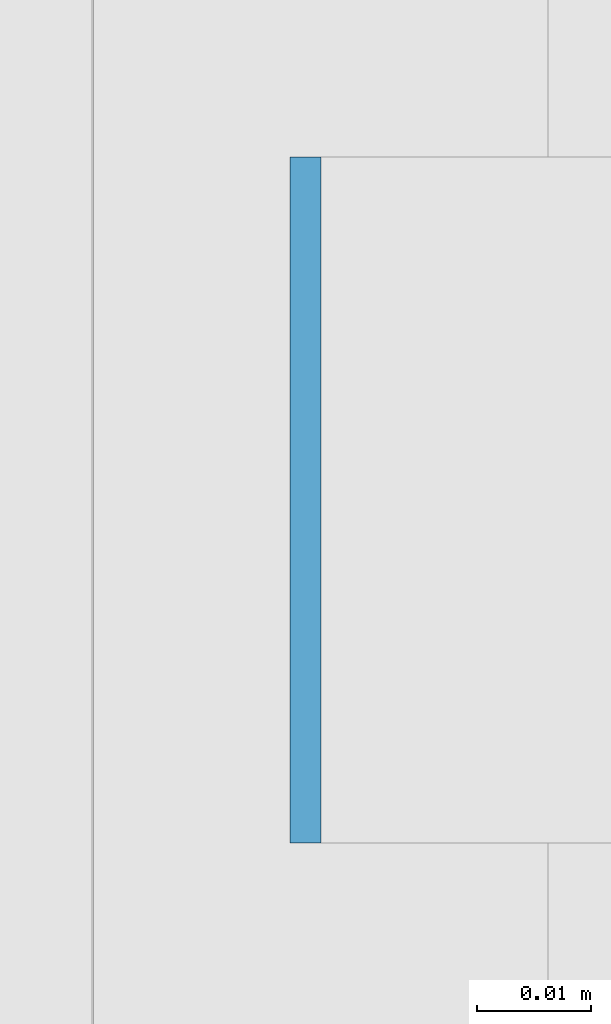
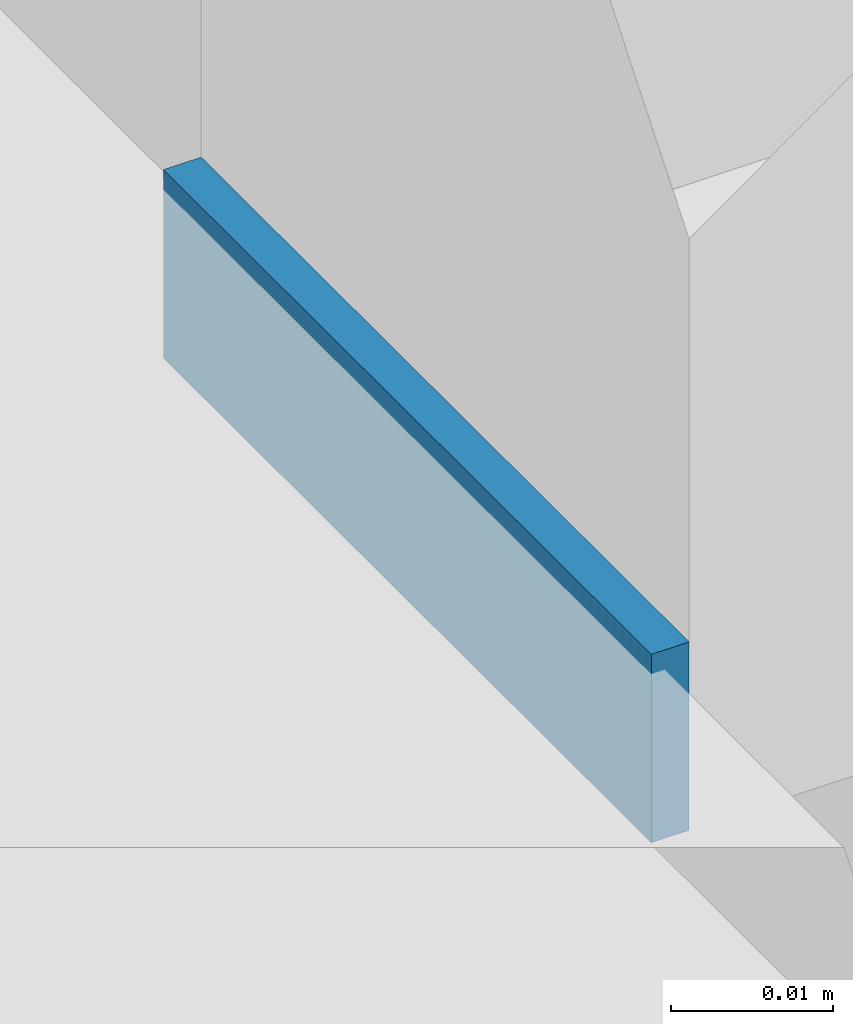
# One storey, part 520 of 646: 1 discrete accessory.
"""IFC4 building model written with IfcOpenShell, lengths in metres."""

from ifc_helpers import new_model, si_unit, direction, frame, origin, origin_2d, place, context, subcontext, project, spatial, rectangle, extrude, material, type_object, element, save


model = new_model("IFC4")

# Units and contexts
model_context = context("Model", 3, precision=1e-05, world=origin(), true_north=direction((0.0, 1.0)))
body_context = subcontext(model_context, "Body", "Model", "MODEL_VIEW")
ifc_project = project(units=[si_unit("LENGTHUNIT", "METRE"), si_unit("AREAUNIT", "SQUARE_METRE"), si_unit("VOLUMEUNIT", "CUBIC_METRE"), si_unit("PLANEANGLEUNIT", "RADIAN"), si_unit("MASSUNIT", "GRAM", prefix="KILO")], contexts=[model_context])

# Site, building, storey
site_placement = place(None, origin())
site = spatial("IfcSite", under=ifc_project, at=site_placement, CompositionType="ELEMENT")
building_placement = place(site_placement, origin())
building = spatial("IfcBuilding", under=site, at=building_placement, Name="Silverbay Arena", CompositionType="ELEMENT")
storey_placement = place(building_placement, frame((0.0, 0.0, 33.5)))
storey = spatial("IfcBuildingStorey", under=building, at=storey_placement, Name="L05", CompositionType="ELEMENT", Elevation=33.5)

# Discrete accessory
ifc_material = material(Name="Steel S355", Category="steel")
discrete_accessory_type = type_object("IfcDiscreteAccessoryType", Name="Steel bracket plate", PredefinedType="BRACKET", material=ifc_material)
discrete_accessory_placement = place(storey_placement, frame((207.128662109375, 78.428466796875, 4.0), z_axis=(0.0, 0.0, 1.0), x_axis=(1.0, 0.0, 0.0)))
element("IfcDiscreteAccessory", 1, at=discrete_accessory_placement, inside=storey, type_object=discrete_accessory_type, Name="Curtain wall packing plate", PredefinedType="BRACKET", context=body_context, shape_type="SweptSolid", body=[
    extrude(rectangle(XDim=0.002685546875, YDim=0.06005859375, at=origin_2d()), origin(), (0.0, 0.0, 1.0), 0.01416015625),
])

save(model, "model.ifc")
